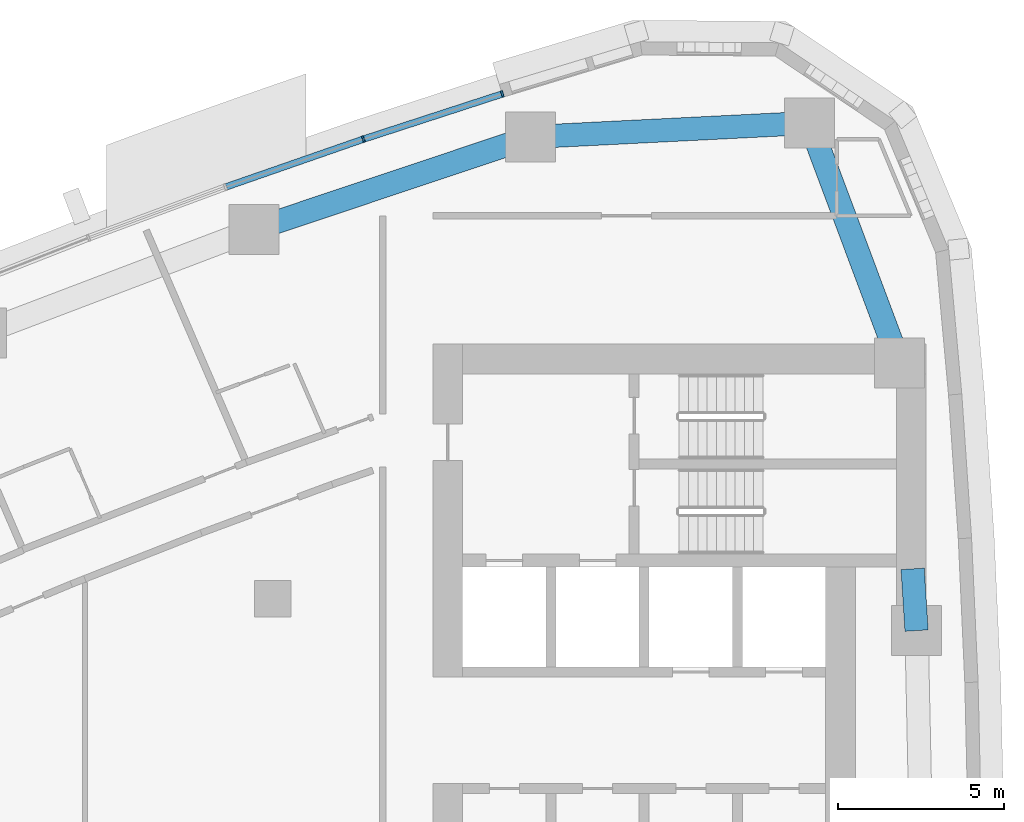
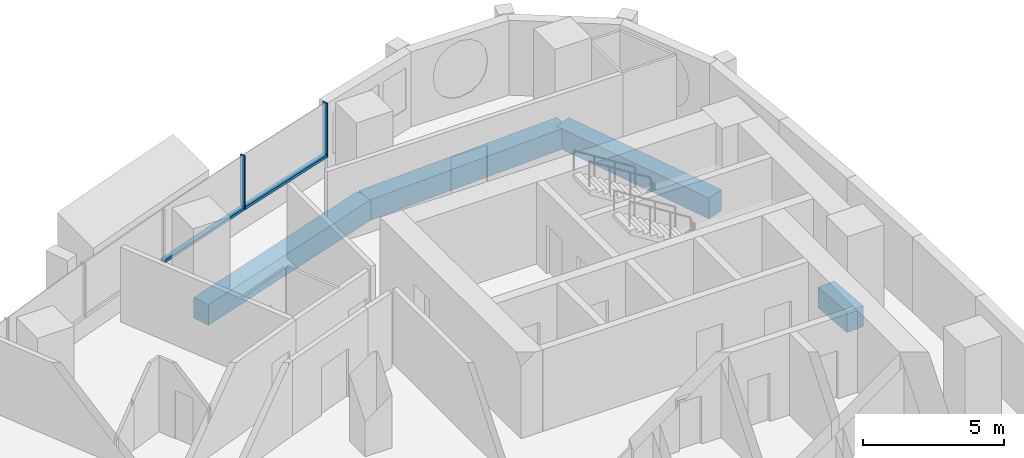
# One storey, part 6 of 17: 4 beams, 4 members, 1 element without a shape of its own.
"""IFC4 building model written with IfcOpenShell, lengths in metres."""

from ifc_helpers import new_model, si_unit, direction, frame, origin, origin_2d, place, context, subcontext, project, spatial, rectangle, extrude, material, layer, layer_set, material_profile, profile_set, type_object, element, aggregate, save


model = new_model("IFC4")

# Units and contexts
model_context = context("Model", 3, precision=1e-05, world=origin(), true_north=direction((0.0, 1.0)))
body_context = subcontext(model_context, "Body", "Model", "MODEL_VIEW")
ifc_project = project(units=[si_unit("LENGTHUNIT", "METRE"), si_unit("AREAUNIT", "SQUARE_METRE"), si_unit("VOLUMEUNIT", "CUBIC_METRE"), si_unit("PLANEANGLEUNIT", "RADIAN"), si_unit("MASSUNIT", "GRAM", prefix="KILO")], contexts=[model_context])

# Site, building, storey
site_placement = place(None, origin())
site = spatial("IfcSite", under=ifc_project, at=site_placement, CompositionType="ELEMENT")
building_placement = place(site_placement, origin())
building = spatial("IfcBuilding", under=site, at=building_placement, Name="Ostrand Prow Hotel Tower", CompositionType="ELEMENT")
storey_placement = place(building_placement, frame((0.0, 0.0, 144.39990234375)))
storey = spatial("IfcBuildingStorey", under=building, at=storey_placement, Name="L35", CompositionType="ELEMENT", Elevation=144.39990234375)

# Beams
ifc_material_1 = material(Name="Concrete C70/85", Category="concrete")
ifc_material_profile_1 = material_profile(ifc_material_1, rectangle(XDim=0.699951171875, YDim=0.89990234375, at=origin_2d()), Name="RC 700x900")
ifc_profile_set_1 = profile_set([ifc_material_profile_1], Name="Concrete C70/85")
beam_type = type_object("IfcBeamType", Name="Edge beam 700x900 C70/85", PredefinedType="SPANDREL", material=ifc_profile_set_1)
beam_1_placement = place(storey_placement, frame((64.32958984375, 8.044677734375, -0.75), z_axis=(-0.063563790544, 0.997977777574, 0.0), x_axis=(-0.997977777574, -0.063563790544, 0.0)))
element("IfcBeam", 1, at=beam_1_placement, inside=storey, type_object=beam_type, Name="Edge beam B4-B5", PredefinedType="SPANDREL", context=body_context, shape_type="SweptSolid", body=[
    extrude(rectangle(XDim=0.699951171875, YDim=0.89990234375, at=origin_2d()), origin(), (0.0, 0.0, 1.0), 1.85888671875),
])
beam_2_placement = place(storey_placement, frame((63.584716796875, 16.699951171875, -0.75), z_axis=(-0.350602524344, 0.93652435629, 0.0), x_axis=(-0.93652435629, -0.350602524344, 0.0)))
element("IfcBeam", 2, at=beam_2_placement, inside=storey, type_object=beam_type, Name="Edge beam B5-NE", PredefinedType="SPANDREL", context=body_context, shape_type="SweptSolid", body=[
    extrude(rectangle(XDim=0.699951171875, YDim=0.89990234375, at=origin_2d()), origin(), (0.0, 0.0, 1.0), 7.037353515625),
])
beam_3_placement = place(storey_placement, frame((61.117431640625, 23.29052734375, -0.75), z_axis=(-0.99873741544, -0.050235196825, 0.0), x_axis=(0.050235196825, -0.99873741544, 0.0)))
element("IfcBeam", 3, at=beam_3_placement, inside=storey, type_object=beam_type, Name="Edge beam NE-N1", PredefinedType="SPANDREL", context=body_context, shape_type="SweptSolid", body=[
    extrude(rectangle(XDim=0.699951171875, YDim=0.89990234375, at=origin_2d()), origin(), (0.0, 0.0, 1.0), 8.38818359375),
])
beam_4_placement = place(storey_placement, frame((52.73974609375, 22.869140625, -0.75), z_axis=(-0.948376051094, -0.317148018616, 0.0), x_axis=(0.317148018616, -0.948376051094, 0.0)))
element("IfcBeam", 4, at=beam_4_placement, inside=storey, type_object=beam_type, Name="Edge beam N1-N2", PredefinedType="SPANDREL", context=body_context, shape_type="SweptSolid", body=[
    extrude(rectangle(XDim=0.699951171875, YDim=0.89990234375, at=origin_2d()), origin(), (0.0, 0.0, 1.0), 8.75341796875),
])

# Curtain wall, members
ifc_material_2 = material(Name="Insulated glass in bronze anodised frame", Category="glass")
ifc_layer = layer(ifc_material_2, 0.199951171875)
ifc_layer_set = layer_set([ifc_layer], Name="Insulated glass in bronze anodised frame")
curtain_wall_type = type_object("IfcCurtainWallType", Name="Strip curtain wall, fritted glass over bronze spandrel", PredefinedType="NOTDEFINED", material=ifc_layer_set)
curtain_wall_placement = place(storey_placement, origin())
curtain_wall = element("IfcCurtainWall", 5, at=curtain_wall_placement, inside=storey, type_object=curtain_wall_type, Name="CW1 run CWN1", PredefinedType="NOTDEFINED")
ifc_material_3 = material(Name="Bronze anodised aluminium", Category="aluminium")
ifc_material_profile_2 = material_profile(ifc_material_3, rectangle(XDim=0.199951171875, YDim=0.06005859375, at=origin_2d()), Name="Mullion 60x200 bronze anodised aluminium")
ifc_profile_set_2 = profile_set([ifc_material_profile_2], Name="Bronze anodised aluminium")
member_type_1 = type_object("IfcMemberType", Name="Mullion 60x200 bronze anodised aluminium", PredefinedType="MULLION", material=ifc_profile_set_2)
member_1_placement = place(storey_placement, frame((51.888916015625, 24.16162109375, 0.900146484375), z_axis=(0.0, 0.0, 1.0), x_axis=(0.309380491373, -0.950938332153, 0.0)))
member_1 = element("IfcMember", 6, at=member_1_placement, type_object=member_type_1, Name="CW1 mullion 1", PredefinedType="MULLION", context=body_context, shape_type="SweptSolid", body=[
    extrude(rectangle(XDim=0.199951171875, YDim=0.06005859375, at=origin_2d()), origin(), (0.0, 0.0, 1.0), 2.349853515625),
])
member_2_placement = place(storey_placement, frame((47.718017578125, 22.8046875, 0.900146484375), z_axis=(0.0, 0.0, 1.0), x_axis=(0.328428177424, -0.944528947293, 0.0)))
member_2 = element("IfcMember", 7, at=member_2_placement, type_object=member_type_1, Name="CW1 mullion 2", PredefinedType="MULLION", context=body_context, shape_type="SweptSolid", body=[
    extrude(rectangle(XDim=0.199951171875, YDim=0.06005859375, at=origin_2d()), origin(), (0.0, 0.0, 1.0), 2.349853515625),
])
ifc_material_4 = material(Name="Bronze anodised aluminium", Category="aluminium")
ifc_material_profile_3 = material_profile(ifc_material_4, rectangle(XDim=0.199951171875, YDim=0.1201171875, at=origin_2d()), Name="Transom 120x200 bronze anodised aluminium")
ifc_profile_set_3 = profile_set([ifc_material_profile_3], Name="Bronze anodised aluminium")
member_type_2 = type_object("IfcMemberType", Name="Transom 120x200 bronze anodised aluminium", PredefinedType="USERDEFINED", material=ifc_profile_set_3)
member_3_placement = place(storey_placement, frame((51.8603515625, 24.15234375, 0.960205078125), z_axis=(-0.950938634958, -0.309379560643, 0.0), x_axis=(0.309379560643, -0.950938634958, 0.0)))
member_3 = element("IfcMember", 8, at=member_3_placement, type_object=member_type_2, Name="CW1 transom 1.1", ObjectType="TRANSOM", PredefinedType="USERDEFINED", context=body_context, shape_type="SweptSolid", body=[
    extrude(rectangle(XDim=0.199951171875, YDim=0.1201171875, at=origin_2d()), origin(), (0.0, 0.0, 1.0), 4.325927734375),
])
member_4_placement = place(storey_placement, frame((47.689697265625, 22.794921875, 0.960205078125), z_axis=(-0.944524201162, -0.328441826538, 0.0), x_axis=(0.328441826538, -0.944524201162, 0.0)))
member_4 = element("IfcMember", 9, at=member_4_placement, type_object=member_type_2, Name="CW1 transom 2.1", ObjectType="TRANSOM", PredefinedType="USERDEFINED", context=body_context, shape_type="SweptSolid", body=[
    extrude(rectangle(XDim=0.199951171875, YDim=0.1201171875, at=origin_2d()), origin(), (0.0, 0.0, 1.0), 4.326171875),
])
aggregate(curtain_wall, [member_1, member_2, member_3, member_4])

save(model, "model.ifc")
